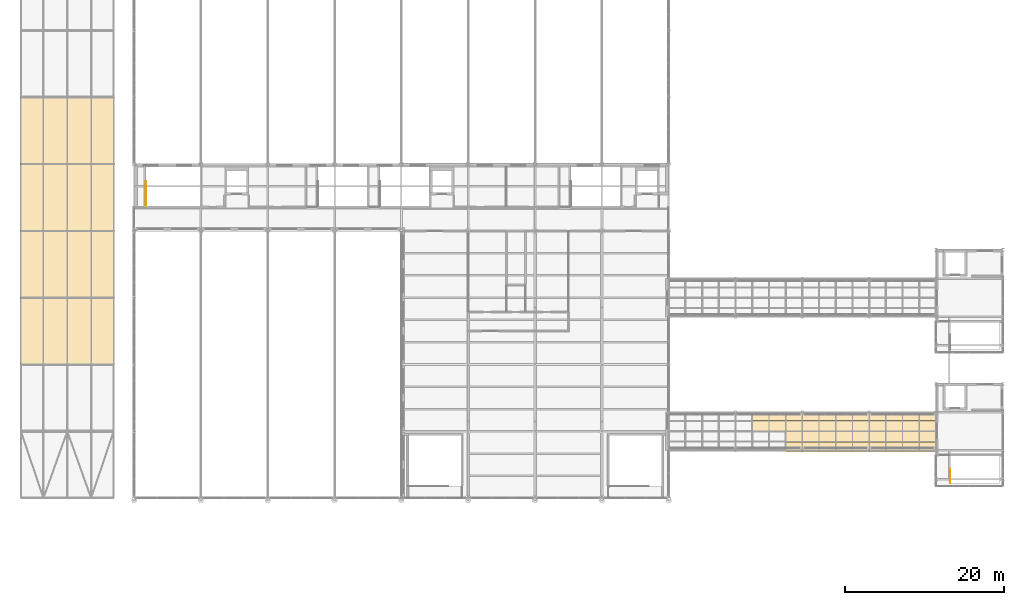
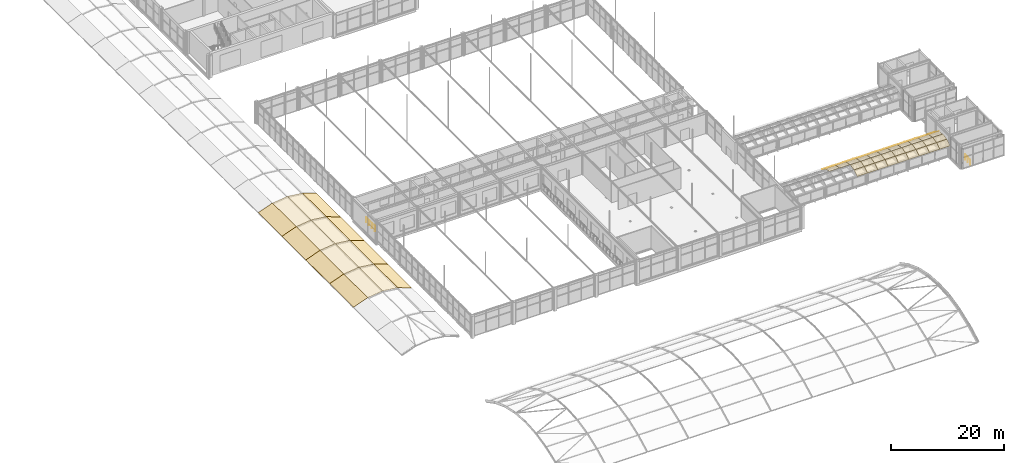
# One storey, part 160 of 167: 56 coverings, 2 railings.
"""IFC4 building model written with IfcOpenShell, lengths in metres."""

from ifc_helpers import new_model, si_unit, direction, frame, origin, origin_2d, place, context, subcontext, project, spatial, polyline, circle, outline, extrude, material, layer, layer_set, type_object, element, save


model = new_model("IFC4")

# Units and contexts
model_context = context("Model", 3, precision=1e-05, world=origin(), true_north=direction((0.0, 1.0)))
body_context = subcontext(model_context, "Body", "Model", "MODEL_VIEW")
ifc_project = project(units=[si_unit("LENGTHUNIT", "METRE"), si_unit("AREAUNIT", "SQUARE_METRE"), si_unit("VOLUMEUNIT", "CUBIC_METRE"), si_unit("PLANEANGLEUNIT", "RADIAN"), si_unit("MASSUNIT", "GRAM", prefix="KILO")], contexts=[model_context])

# Site, building, storey
site_placement = place(None, origin())
site = spatial("IfcSite", under=ifc_project, at=site_placement, CompositionType="ELEMENT")
building_placement = place(site_placement, origin())
building = spatial("IfcBuilding", under=site, at=building_placement, Name="Catenary Quay Ferry Terminal", CompositionType="ELEMENT")
storey_placement = place(building_placement, frame((0.0, 0.0, 6.0)))
storey = spatial("IfcBuildingStorey", under=building, at=storey_placement, Name="L01", CompositionType="ELEMENT", Elevation=6.0)

# Railings
ifc_material_1 = material(Name="Steel and glass", Category="steel")
railing_type = type_object("IfcRailingType", Name="GI1", PredefinedType="GUARDRAIL", material=ifc_material_1)
railing_1_placement = place(storey_placement, frame((127.800048828125, 69.10009765625, 0.0)))
element("IfcRailing", 1, at=railing_1_placement, inside=storey, type_object=railing_type, Name="HB1 well guard GI51", PredefinedType="GUARDRAIL", context=body_context, shape_type="SweptSolid", body=[
    extrude(circle(Radius=0.02392578125, at=origin_2d()), frame((0.0, 0.0, 1.076171875), z_axis=(0.0, 1.0, 0.0), x_axis=(-1.0, 0.0, 0.0)), (0.0, 0.0, 1.0), 1.7998046875),
    extrude(circle(Radius=0.02099609375, at=origin_2d()), origin(), (0.0, 0.0, 1.0), 1.052001953125),
    extrude(circle(Radius=0.02099609375, at=origin_2d()), frame((0.0, 0.89990234375, 0.0)), (0.0, 0.0, 1.0), 1.052001953125),
    extrude(circle(Radius=0.02099609375, at=origin_2d()), frame((0.0, 1.7998046875, 0.0)), (0.0, 0.0, 1.0), 1.052001953125),
])
railing_2_placement = place(storey_placement, frame((26.699951171875, 103.89990234375, 0.0)))
element("IfcRailing", 2, at=railing_2_placement, inside=storey, type_object=railing_type, Name="TS1 well guard GI278", PredefinedType="GUARDRAIL", context=body_context, shape_type="SweptSolid", body=[
    extrude(circle(Radius=0.02392578125, at=origin_2d()), frame((0.0, 0.0, 1.076171875), z_axis=(0.0, 1.0, 0.0), x_axis=(-1.0, 0.0, 0.0)), (0.0, 0.0, 1.0), 3.10009765625),
    extrude(circle(Radius=0.02099609375, at=origin_2d()), origin(), (0.0, 0.0, 1.0), 1.052001953125),
    extrude(circle(Radius=0.02099609375, at=origin_2d()), frame((0.0, 1.033447265625, 0.0)), (0.0, 0.0, 1.0), 1.052001953125),
    extrude(circle(Radius=0.02099609375, at=origin_2d()), frame((0.0, 2.066650390625, 0.0)), (0.0, 0.0, 1.0), 1.052001953125),
    extrude(circle(Radius=0.02099609375, at=origin_2d()), frame((0.0, 3.10009765625, 0.0)), (0.0, 0.0, 1.0), 1.052001953125),
])

# Coverings
ifc_material_2 = material(Name="Laminated glass", Category="glass")
ifc_layer = layer(ifc_material_2, 0.030029296875)
ifc_layer_set = layer_set([ifc_layer], Name="RF2")
covering_type = type_object("IfcCoveringType", Name="RF2", PredefinedType="ROOFING", material=ifc_layer_set)
covering_1_placement = place(storey_placement, frame((10.858154296875, 84.0, 1.2158203125), z_axis=(-0.346768604163, 0.0, 0.937950710414), x_axis=(0.0, 1.0, 0.0)))
element("IfcCovering", 3, at=covering_1_placement, inside=storey, type_object=covering_type, Name="Forecourt canopy roof", PredefinedType="ROOFING", context=body_context, shape_type="SweptSolid", body=[
    extrude(outline(polyline([(0.0, 0.0), (8.39990234375, 0.0), (8.39990234375, -3.0745635463365493), (0.0, -3.0745635463365493), (0.0, 0.0)])), origin(), (0.0, 0.0, -1.0), 0.031982421875),
])
covering_2_placement = place(storey_placement, frame((13.741943359375, 84.0, 2.281982421875), z_axis=(-0.122181619395, 0.0, 0.992507759104), x_axis=(0.0, 1.0, 0.0)))
element("IfcCovering", 4, at=covering_2_placement, inside=storey, type_object=covering_type, Name="Forecourt canopy roof", PredefinedType="ROOFING", context=body_context, shape_type="SweptSolid", body=[
    extrude(outline(polyline([(0.0, 0.0), (8.39990234375, 0.0), (8.39990234375, -3.0811904901479834), (0.0, -3.0811904901479834), (0.0, 0.0)])), origin(), (0.0, 0.0, -1.0), 0.0302734375),
])
covering_3_placement = place(storey_placement, frame((16.800048828125, 84.0, 2.658447265625), z_axis=(0.122191228771, 0.0, 0.992506576105), x_axis=(0.0, 1.0, 0.0)))
element("IfcCovering", 5, at=covering_3_placement, inside=storey, type_object=covering_type, Name="Forecourt canopy roof", PredefinedType="ROOFING", context=body_context, shape_type="SweptSolid", body=[
    extrude(outline(polyline([(0.0, 0.0), (8.39990234375, 0.0), (8.39990234375, -3.080948178827762), (0.0, -3.080948178827762), (0.0, 0.0)])), origin(), (0.0, 0.0, -1.0), 0.0302734375),
])
covering_4_placement = place(storey_placement, frame((19.85791015625, 84.0, 2.281982421875), z_axis=(0.346768604163, 0.0, 0.937950710414), x_axis=(0.0, 1.0, 0.0)))
element("IfcCovering", 6, at=covering_4_placement, inside=storey, type_object=covering_type, Name="Forecourt canopy roof", PredefinedType="ROOFING", context=body_context, shape_type="SweptSolid", body=[
    extrude(outline(polyline([(0.0, 0.0), (8.39990234375, 0.0), (8.39990234375, -3.0745635463365493), (0.0, -3.0745635463365493), (0.0, 0.0)])), origin(), (0.0, 0.0, -1.0), 0.031982421875),
])
covering_5_placement = place(storey_placement, frame((10.858154296875, 92.39990234375, 1.2158203125), z_axis=(-0.346768604163, 0.0, 0.937950710414), x_axis=(0.0, 1.0, 0.0)))
element("IfcCovering", 7, at=covering_5_placement, inside=storey, type_object=covering_type, Name="Forecourt canopy roof", PredefinedType="ROOFING", context=body_context, shape_type="SweptSolid", body=[
    extrude(outline(polyline([(0.0, 0.0), (8.400146484375, 0.0), (8.400146484375, -3.0745635463365493), (0.0, -3.0745635463365493), (0.0, 0.0)])), origin(), (0.0, 0.0, -1.0), 0.031982421875),
])
covering_6_placement = place(storey_placement, frame((13.741943359375, 92.39990234375, 2.281982421875), z_axis=(-0.122181619395, 0.0, 0.992507759104), x_axis=(0.0, 1.0, 0.0)))
element("IfcCovering", 8, at=covering_6_placement, inside=storey, type_object=covering_type, Name="Forecourt canopy roof", PredefinedType="ROOFING", context=body_context, shape_type="SweptSolid", body=[
    extrude(outline(polyline([(0.0, 0.0), (8.400146484375, 0.0), (8.400146484375, -3.0811904901479834), (0.0, -3.0811904901479834), (0.0, 0.0)])), origin(), (0.0, 0.0, -1.0), 0.0302734375),
])
covering_7_placement = place(storey_placement, frame((16.800048828125, 92.39990234375, 2.658447265625), z_axis=(0.122191228771, 0.0, 0.992506576105), x_axis=(0.0, 1.0, 0.0)))
element("IfcCovering", 9, at=covering_7_placement, inside=storey, type_object=covering_type, Name="Forecourt canopy roof", PredefinedType="ROOFING", context=body_context, shape_type="SweptSolid", body=[
    extrude(outline(polyline([(0.0, 0.0), (8.400146484375, 0.0), (8.400146484375, -3.0809481788277613), (0.0, -3.0809481788277613), (0.0, 0.0)])), origin(), (0.0, 0.0, -1.0), 0.0302734375),
])
covering_8_placement = place(storey_placement, frame((19.85791015625, 92.39990234375, 2.281982421875), z_axis=(0.346768604163, 0.0, 0.937950710414), x_axis=(0.0, 1.0, 0.0)))
element("IfcCovering", 10, at=covering_8_placement, inside=storey, type_object=covering_type, Name="Forecourt canopy roof", PredefinedType="ROOFING", context=body_context, shape_type="SweptSolid", body=[
    extrude(outline(polyline([(0.0, 0.0), (8.400146484375, 0.0), (8.400146484375, -3.0745635463365493), (0.0, -3.0745635463365493), (0.0, 0.0)])), origin(), (0.0, 0.0, -1.0), 0.031982421875),
])
covering_9_placement = place(storey_placement, frame((10.858154296875, 100.800048828125, 1.2158203125), z_axis=(-0.346768604163, 0.0, 0.937950710414), x_axis=(0.0, 1.0, 0.0)))
element("IfcCovering", 11, at=covering_9_placement, inside=storey, type_object=covering_type, Name="Forecourt canopy roof", PredefinedType="ROOFING", context=body_context, shape_type="SweptSolid", body=[
    extrude(outline(polyline([(0.0, 0.0), (8.39990234375, 0.0), (8.39990234375, -3.0745635463365493), (0.0, -3.0745635463365493), (0.0, 0.0)])), origin(), (0.0, 0.0, -1.0), 0.031982421875),
])
covering_10_placement = place(storey_placement, frame((13.741943359375, 100.800048828125, 2.281982421875), z_axis=(-0.122181619395, 0.0, 0.992507759104), x_axis=(0.0, 1.0, 0.0)))
element("IfcCovering", 12, at=covering_10_placement, inside=storey, type_object=covering_type, Name="Forecourt canopy roof", PredefinedType="ROOFING", context=body_context, shape_type="SweptSolid", body=[
    extrude(outline(polyline([(0.0, 0.0), (8.39990234375, 0.0), (8.39990234375, -3.0811904901479834), (0.0, -3.0811904901479834), (0.0, 0.0)])), origin(), (0.0, 0.0, -1.0), 0.0302734375),
])
covering_11_placement = place(storey_placement, frame((16.800048828125, 100.800048828125, 2.658447265625), z_axis=(0.122191228771, 0.0, 0.992506576105), x_axis=(0.0, 1.0, 0.0)))
element("IfcCovering", 13, at=covering_11_placement, inside=storey, type_object=covering_type, Name="Forecourt canopy roof", PredefinedType="ROOFING", context=body_context, shape_type="SweptSolid", body=[
    extrude(outline(polyline([(0.0, 0.0), (8.39990234375, 0.0), (8.39990234375, -3.080948178827762), (0.0, -3.080948178827762), (0.0, 0.0)])), origin(), (0.0, 0.0, -1.0), 0.0302734375),
])
covering_12_placement = place(storey_placement, frame((19.85791015625, 100.800048828125, 2.281982421875), z_axis=(0.346768604163, 0.0, 0.937950710414), x_axis=(0.0, 1.0, 0.0)))
element("IfcCovering", 14, at=covering_12_placement, inside=storey, type_object=covering_type, Name="Forecourt canopy roof", PredefinedType="ROOFING", context=body_context, shape_type="SweptSolid", body=[
    extrude(outline(polyline([(0.0, 0.0), (8.39990234375, 0.0), (8.39990234375, -3.0745635463365493), (0.0, -3.0745635463365493), (0.0, 0.0)])), origin(), (0.0, 0.0, -1.0), 0.031982421875),
])
covering_13_placement = place(storey_placement, frame((10.858154296875, 109.199951171875, 1.2158203125), z_axis=(-0.346768604163, 0.0, 0.937950710414), x_axis=(0.0, 1.0, 0.0)))
element("IfcCovering", 15, at=covering_13_placement, inside=storey, type_object=covering_type, Name="Forecourt canopy roof", PredefinedType="ROOFING", context=body_context, shape_type="SweptSolid", body=[
    extrude(outline(polyline([(0.0, 0.0), (8.400146484375, 0.0), (8.400146484375, -3.0745635463365493), (0.0, -3.0745635463365493), (0.0, 0.0)])), origin(), (0.0, 0.0, -1.0), 0.031982421875),
])
covering_14_placement = place(storey_placement, frame((13.741943359375, 109.199951171875, 2.281982421875), z_axis=(-0.122181619395, 0.0, 0.992507759104), x_axis=(0.0, 1.0, 0.0)))
element("IfcCovering", 16, at=covering_14_placement, inside=storey, type_object=covering_type, Name="Forecourt canopy roof", PredefinedType="ROOFING", context=body_context, shape_type="SweptSolid", body=[
    extrude(outline(polyline([(0.0, 0.0), (8.400146484375, 0.0), (8.400146484375, -3.0811904901479834), (0.0, -3.0811904901479834), (0.0, 0.0)])), origin(), (0.0, 0.0, -1.0), 0.0302734375),
])
covering_15_placement = place(storey_placement, frame((16.800048828125, 109.199951171875, 2.658447265625), z_axis=(0.122191228771, 0.0, 0.992506576105), x_axis=(0.0, 1.0, 0.0)))
element("IfcCovering", 17, at=covering_15_placement, inside=storey, type_object=covering_type, Name="Forecourt canopy roof", PredefinedType="ROOFING", context=body_context, shape_type="SweptSolid", body=[
    extrude(outline(polyline([(0.0, 0.0), (8.400146484375, 0.0), (8.400146484375, -3.0809481788277613), (0.0, -3.0809481788277613), (0.0, 0.0)])), origin(), (0.0, 0.0, -1.0), 0.0302734375),
])
covering_16_placement = place(storey_placement, frame((19.85791015625, 109.199951171875, 2.281982421875), z_axis=(0.346768604163, 0.0, 0.937950710414), x_axis=(0.0, 1.0, 0.0)))
element("IfcCovering", 18, at=covering_16_placement, inside=storey, type_object=covering_type, Name="Forecourt canopy roof", PredefinedType="ROOFING", context=body_context, shape_type="SweptSolid", body=[
    extrude(outline(polyline([(0.0, 0.0), (8.400146484375, 0.0), (8.400146484375, -3.0745635463365493), (0.0, -3.0745635463365493), (0.0, 0.0)])), origin(), (0.0, 0.0, -1.0), 0.031982421875),
])
covering_17_placement = place(storey_placement, frame((102.89990234375, 75.60009765625, 3.308837890625), z_axis=(0.0, 0.211049761699, 0.977475318403), x_axis=(1.0, 0.0, 0.0)))
element("IfcCovering", 19, at=covering_17_placement, inside=storey, type_object=covering_type, Name="Boarding Bridge 1 roof", PredefinedType="ROOFING", context=body_context, shape_type="SweptSolid", body=[
    extrude(outline(polyline([(0.0, 0.0), (2.10009765625, 0.0), (2.10009765625, 1.4031884032539599), (0.0, 1.4031884032539599), (0.0, 0.0)])), origin(), (0.0, 0.0, -1.0), 0.03076171875),
])
covering_18_placement = place(storey_placement, frame((102.89990234375, 76.9716796875, 3.0126953125), z_axis=(0.0, 0.5454678985, 0.83813171501), x_axis=(1.0, 0.0, 0.0)))
element("IfcCovering", 20, at=covering_18_placement, inside=storey, type_object=covering_type, Name="Boarding Bridge 1 roof", PredefinedType="ROOFING", context=body_context, shape_type="SweptSolid", body=[
    extrude(outline(polyline([(0.0, 0.0), (2.10009765625, 0.0), (2.10009765625, 1.359748613601261), (0.0, 1.359748613601261), (0.0, 0.0)])), origin(), (0.0, 0.0, -1.0), 0.035888671875),
])
covering_19_placement = place(storey_placement, frame((105.0, 75.60009765625, 3.308837890625), z_axis=(0.0, 0.211049761699, 0.977475318403), x_axis=(1.0, 0.0, 0.0)))
element("IfcCovering", 21, at=covering_19_placement, inside=storey, type_object=covering_type, Name="Boarding Bridge 1 roof", PredefinedType="ROOFING", context=body_context, shape_type="SweptSolid", body=[
    extrude(outline(polyline([(0.0, 0.0), (2.10009765625, 0.0), (2.10009765625, 1.4031884032539599), (0.0, 1.4031884032539599), (0.0, 0.0)])), origin(), (0.0, 0.0, -1.0), 0.03076171875),
])
covering_20_placement = place(storey_placement, frame((105.0, 76.9716796875, 3.0126953125), z_axis=(0.0, 0.5454678985, 0.83813171501), x_axis=(1.0, 0.0, 0.0)))
element("IfcCovering", 22, at=covering_20_placement, inside=storey, type_object=covering_type, Name="Boarding Bridge 1 roof", PredefinedType="ROOFING", context=body_context, shape_type="SweptSolid", body=[
    extrude(outline(polyline([(0.0, 0.0), (2.10009765625, 0.0), (2.10009765625, 1.359748613601261), (0.0, 1.359748613601261), (0.0, 0.0)])), origin(), (0.0, 0.0, -1.0), 0.035888671875),
])
covering_21_placement = place(storey_placement, frame((107.10009765625, 73.088623046875, 2.27099609375), z_axis=(0.0, -0.5454678985, 0.83813171501), x_axis=(1.0, 0.0, 0.0)))
element("IfcCovering", 23, at=covering_21_placement, inside=storey, type_object=covering_type, Name="Boarding Bridge 1 roof", PredefinedType="ROOFING", context=body_context, shape_type="SweptSolid", body=[
    extrude(outline(polyline([(0.0, 0.0), (2.099853515625, 0.0), (2.099853515625, 1.359748613601261), (0.0, 1.359748613601261), (0.0, 0.0)])), origin(), (0.0, 0.0, -1.0), 0.035888671875),
])
covering_22_placement = place(storey_placement, frame((107.10009765625, 74.228271484375, 3.0126953125), z_axis=(0.0, -0.211013874249, 0.977483066285), x_axis=(1.0, 0.0, 0.0)))
element("IfcCovering", 24, at=covering_22_placement, inside=storey, type_object=covering_type, Name="Boarding Bridge 1 roof", PredefinedType="ROOFING", context=body_context, shape_type="SweptSolid", body=[
    extrude(outline(polyline([(0.0, 0.0), (2.099853515625, 0.0), (2.099853515625, 1.4034270456349838), (0.0, 1.4034270456349838), (0.0, 0.0)])), origin(), (0.0, 0.0, -1.0), 0.03076171875),
])
covering_23_placement = place(storey_placement, frame((107.10009765625, 75.60009765625, 3.308837890625), z_axis=(0.0, 0.211049761699, 0.977475318403), x_axis=(1.0, 0.0, 0.0)))
element("IfcCovering", 25, at=covering_23_placement, inside=storey, type_object=covering_type, Name="Boarding Bridge 1 roof", PredefinedType="ROOFING", context=body_context, shape_type="SweptSolid", body=[
    extrude(outline(polyline([(0.0, 0.0), (2.099853515625, 0.0), (2.099853515625, 1.4031884032539599), (0.0, 1.4031884032539599), (0.0, 0.0)])), origin(), (0.0, 0.0, -1.0), 0.03076171875),
])
covering_24_placement = place(storey_placement, frame((107.10009765625, 76.9716796875, 3.0126953125), z_axis=(0.0, 0.5454678985, 0.83813171501), x_axis=(1.0, 0.0, 0.0)))
element("IfcCovering", 26, at=covering_24_placement, inside=storey, type_object=covering_type, Name="Boarding Bridge 1 roof", PredefinedType="ROOFING", context=body_context, shape_type="SweptSolid", body=[
    extrude(outline(polyline([(0.0, 0.0), (2.099853515625, 0.0), (2.099853515625, 1.359748613601261), (0.0, 1.359748613601261), (0.0, 0.0)])), origin(), (0.0, 0.0, -1.0), 0.035888671875),
])
covering_25_placement = place(storey_placement, frame((109.199951171875, 73.088623046875, 2.27099609375), z_axis=(0.0, -0.5454678985, 0.83813171501), x_axis=(1.0, 0.0, 0.0)))
element("IfcCovering", 27, at=covering_25_placement, inside=storey, type_object=covering_type, Name="Boarding Bridge 1 roof", PredefinedType="ROOFING", context=body_context, shape_type="SweptSolid", body=[
    extrude(outline(polyline([(0.0, 0.0), (2.10009765625, 0.0), (2.10009765625, 1.359748613601261), (0.0, 1.359748613601261), (0.0, 0.0)])), origin(), (0.0, 0.0, -1.0), 0.035888671875),
])
covering_26_placement = place(storey_placement, frame((109.199951171875, 74.228271484375, 3.0126953125), z_axis=(0.0, -0.211013874249, 0.977483066285), x_axis=(1.0, 0.0, 0.0)))
element("IfcCovering", 28, at=covering_26_placement, inside=storey, type_object=covering_type, Name="Boarding Bridge 1 roof", PredefinedType="ROOFING", context=body_context, shape_type="SweptSolid", body=[
    extrude(outline(polyline([(0.0, 0.0), (2.10009765625, 0.0), (2.10009765625, 1.4034270456349835), (0.0, 1.4034270456349835), (0.0, 0.0)])), origin(), (0.0, 0.0, -1.0), 0.03076171875),
])
covering_27_placement = place(storey_placement, frame((109.199951171875, 75.60009765625, 3.308837890625), z_axis=(0.0, 0.211049761699, 0.977475318403), x_axis=(1.0, 0.0, 0.0)))
element("IfcCovering", 29, at=covering_27_placement, inside=storey, type_object=covering_type, Name="Boarding Bridge 1 roof", PredefinedType="ROOFING", context=body_context, shape_type="SweptSolid", body=[
    extrude(outline(polyline([(0.0, 0.0), (2.10009765625, 0.0), (2.10009765625, 1.4031884032539599), (0.0, 1.4031884032539599), (0.0, 0.0)])), origin(), (0.0, 0.0, -1.0), 0.03076171875),
])
covering_28_placement = place(storey_placement, frame((109.199951171875, 76.9716796875, 3.0126953125), z_axis=(0.0, 0.5454678985, 0.83813171501), x_axis=(1.0, 0.0, 0.0)))
element("IfcCovering", 30, at=covering_28_placement, inside=storey, type_object=covering_type, Name="Boarding Bridge 1 roof", PredefinedType="ROOFING", context=body_context, shape_type="SweptSolid", body=[
    extrude(outline(polyline([(0.0, 0.0), (2.10009765625, 0.0), (2.10009765625, 1.359748613601261), (0.0, 1.359748613601261), (0.0, 0.0)])), origin(), (0.0, 0.0, -1.0), 0.035888671875),
])
covering_29_placement = place(storey_placement, frame((111.300048828125, 73.088623046875, 2.27099609375), z_axis=(0.0, -0.5454678985, 0.83813171501), x_axis=(1.0, 0.0, 0.0)))
element("IfcCovering", 31, at=covering_29_placement, inside=storey, type_object=covering_type, Name="Boarding Bridge 1 roof", PredefinedType="ROOFING", context=body_context, shape_type="SweptSolid", body=[
    extrude(outline(polyline([(0.0, 0.0), (2.099853515625, 0.0), (2.099853515625, 1.359748613601261), (0.0, 1.359748613601261), (0.0, 0.0)])), origin(), (0.0, 0.0, -1.0), 0.035888671875),
])
covering_30_placement = place(storey_placement, frame((111.300048828125, 74.228271484375, 3.0126953125), z_axis=(0.0, -0.211013874249, 0.977483066285), x_axis=(1.0, 0.0, 0.0)))
element("IfcCovering", 32, at=covering_30_placement, inside=storey, type_object=covering_type, Name="Boarding Bridge 1 roof", PredefinedType="ROOFING", context=body_context, shape_type="SweptSolid", body=[
    extrude(outline(polyline([(0.0, 0.0), (2.099853515625, 0.0), (2.099853515625, 1.4034270456349838), (0.0, 1.4034270456349838), (0.0, 0.0)])), origin(), (0.0, 0.0, -1.0), 0.03076171875),
])
covering_31_placement = place(storey_placement, frame((111.300048828125, 75.60009765625, 3.308837890625), z_axis=(0.0, 0.211049761699, 0.977475318403), x_axis=(1.0, 0.0, 0.0)))
element("IfcCovering", 33, at=covering_31_placement, inside=storey, type_object=covering_type, Name="Boarding Bridge 1 roof", PredefinedType="ROOFING", context=body_context, shape_type="SweptSolid", body=[
    extrude(outline(polyline([(0.0, 0.0), (2.099853515625, 0.0), (2.099853515625, 1.4031884032539599), (0.0, 1.4031884032539599), (0.0, 0.0)])), origin(), (0.0, 0.0, -1.0), 0.03076171875),
])
covering_32_placement = place(storey_placement, frame((111.300048828125, 76.9716796875, 3.0126953125), z_axis=(0.0, 0.5454678985, 0.83813171501), x_axis=(1.0, 0.0, 0.0)))
element("IfcCovering", 34, at=covering_32_placement, inside=storey, type_object=covering_type, Name="Boarding Bridge 1 roof", PredefinedType="ROOFING", context=body_context, shape_type="SweptSolid", body=[
    extrude(outline(polyline([(0.0, 0.0), (2.099853515625, 0.0), (2.099853515625, 1.359748613601261), (0.0, 1.359748613601261), (0.0, 0.0)])), origin(), (0.0, 0.0, -1.0), 0.035888671875),
])
covering_33_placement = place(storey_placement, frame((113.39990234375, 73.088623046875, 2.27099609375), z_axis=(0.0, -0.5454678985, 0.83813171501), x_axis=(1.0, 0.0, 0.0)))
element("IfcCovering", 35, at=covering_33_placement, inside=storey, type_object=covering_type, Name="Boarding Bridge 1 roof", PredefinedType="ROOFING", context=body_context, shape_type="SweptSolid", body=[
    extrude(outline(polyline([(0.0, 0.0), (2.10009765625, 0.0), (2.10009765625, 1.359748613601261), (0.0, 1.359748613601261), (0.0, 0.0)])), origin(), (0.0, 0.0, -1.0), 0.035888671875),
])
covering_34_placement = place(storey_placement, frame((113.39990234375, 74.228271484375, 3.0126953125), z_axis=(0.0, -0.211013874249, 0.977483066285), x_axis=(1.0, 0.0, 0.0)))
element("IfcCovering", 36, at=covering_34_placement, inside=storey, type_object=covering_type, Name="Boarding Bridge 1 roof", PredefinedType="ROOFING", context=body_context, shape_type="SweptSolid", body=[
    extrude(outline(polyline([(0.0, 0.0), (2.10009765625, 0.0), (2.10009765625, 1.4034270456349835), (0.0, 1.4034270456349835), (0.0, 0.0)])), origin(), (0.0, 0.0, -1.0), 0.03076171875),
])
covering_35_placement = place(storey_placement, frame((113.39990234375, 75.60009765625, 3.308837890625), z_axis=(0.0, 0.211049761699, 0.977475318403), x_axis=(1.0, 0.0, 0.0)))
element("IfcCovering", 37, at=covering_35_placement, inside=storey, type_object=covering_type, Name="Boarding Bridge 1 roof", PredefinedType="ROOFING", context=body_context, shape_type="SweptSolid", body=[
    extrude(outline(polyline([(0.0, 0.0), (2.10009765625, 0.0), (2.10009765625, 1.4031884032539599), (0.0, 1.4031884032539599), (0.0, 0.0)])), origin(), (0.0, 0.0, -1.0), 0.03076171875),
])
for number, where, z_axis, x_axis, name in (
    (38, (113.39990234375, 76.9716796875, 3.0126953125), (0.0, 0.5454678985, 0.83813171501), (1.0, 0.0, 0.0), "Boarding Bridge 1 roof"),
    (39, (115.5, 73.088623046875, 2.27099609375), (0.0, -0.5454678985, 0.83813171501), (1.0, 0.0, 0.0), "Boarding Bridge 1 roof"),
):
    element("IfcCovering", number, at=place(storey_placement, frame(where, z_axis=z_axis, x_axis=x_axis)), inside=storey, type_object=covering_type, Name=name, PredefinedType="ROOFING", context=body_context, shape_type="SweptSolid", body=[
        extrude(outline(polyline([(0.0, 0.0), (2.10009765625, 0.0), (2.10009765625, 1.359748613601261), (0.0, 1.359748613601261), (0.0, 0.0)])), origin(), (0.0, 0.0, -1.0), 0.035888671875),
    ])
covering_36_placement = place(storey_placement, frame((115.5, 74.228271484375, 3.0126953125), z_axis=(0.0, -0.211013874249, 0.977483066285), x_axis=(1.0, 0.0, 0.0)))
element("IfcCovering", 40, at=covering_36_placement, inside=storey, type_object=covering_type, Name="Boarding Bridge 1 roof", PredefinedType="ROOFING", context=body_context, shape_type="SweptSolid", body=[
    extrude(outline(polyline([(0.0, 0.0), (2.10009765625, 0.0), (2.10009765625, 1.4034270456349835), (0.0, 1.4034270456349835), (0.0, 0.0)])), origin(), (0.0, 0.0, -1.0), 0.03076171875),
])
covering_37_placement = place(storey_placement, frame((115.5, 75.60009765625, 3.308837890625), z_axis=(0.0, 0.211049761699, 0.977475318403), x_axis=(1.0, 0.0, 0.0)))
element("IfcCovering", 41, at=covering_37_placement, inside=storey, type_object=covering_type, Name="Boarding Bridge 1 roof", PredefinedType="ROOFING", context=body_context, shape_type="SweptSolid", body=[
    extrude(outline(polyline([(0.0, 0.0), (2.10009765625, 0.0), (2.10009765625, 1.4031884032539599), (0.0, 1.4031884032539599), (0.0, 0.0)])), origin(), (0.0, 0.0, -1.0), 0.03076171875),
])
covering_38_placement = place(storey_placement, frame((115.5, 76.9716796875, 3.0126953125), z_axis=(0.0, 0.5454678985, 0.83813171501), x_axis=(1.0, 0.0, 0.0)))
element("IfcCovering", 42, at=covering_38_placement, inside=storey, type_object=covering_type, Name="Boarding Bridge 1 roof", PredefinedType="ROOFING", context=body_context, shape_type="SweptSolid", body=[
    extrude(outline(polyline([(0.0, 0.0), (2.10009765625, 0.0), (2.10009765625, 1.359748613601261), (0.0, 1.359748613601261), (0.0, 0.0)])), origin(), (0.0, 0.0, -1.0), 0.035888671875),
])
covering_39_placement = place(storey_placement, frame((117.60009765625, 73.088623046875, 2.27099609375), z_axis=(0.0, -0.5454678985, 0.83813171501), x_axis=(1.0, 0.0, 0.0)))
element("IfcCovering", 43, at=covering_39_placement, inside=storey, type_object=covering_type, Name="Boarding Bridge 1 roof", PredefinedType="ROOFING", context=body_context, shape_type="SweptSolid", body=[
    extrude(outline(polyline([(0.0, 0.0), (2.099853515625, 0.0), (2.099853515625, 1.359748613601261), (0.0, 1.359748613601261), (0.0, 0.0)])), origin(), (0.0, 0.0, -1.0), 0.035888671875),
])
covering_40_placement = place(storey_placement, frame((117.60009765625, 74.228271484375, 3.0126953125), z_axis=(0.0, -0.211013874249, 0.977483066285), x_axis=(1.0, 0.0, 0.0)))
element("IfcCovering", 44, at=covering_40_placement, inside=storey, type_object=covering_type, Name="Boarding Bridge 1 roof", PredefinedType="ROOFING", context=body_context, shape_type="SweptSolid", body=[
    extrude(outline(polyline([(0.0, 0.0), (2.099853515625, 0.0), (2.099853515625, 1.4034270456349838), (0.0, 1.4034270456349838), (0.0, 0.0)])), origin(), (0.0, 0.0, -1.0), 0.03076171875),
])
covering_41_placement = place(storey_placement, frame((117.60009765625, 75.60009765625, 3.308837890625), z_axis=(0.0, 0.211049761699, 0.977475318403), x_axis=(1.0, 0.0, 0.0)))
element("IfcCovering", 45, at=covering_41_placement, inside=storey, type_object=covering_type, Name="Boarding Bridge 1 roof", PredefinedType="ROOFING", context=body_context, shape_type="SweptSolid", body=[
    extrude(outline(polyline([(0.0, 0.0), (2.099853515625, 0.0), (2.099853515625, 1.4031884032539599), (0.0, 1.4031884032539599), (0.0, 0.0)])), origin(), (0.0, 0.0, -1.0), 0.03076171875),
])
covering_42_placement = place(storey_placement, frame((117.60009765625, 76.9716796875, 3.0126953125), z_axis=(0.0, 0.5454678985, 0.83813171501), x_axis=(1.0, 0.0, 0.0)))
element("IfcCovering", 46, at=covering_42_placement, inside=storey, type_object=covering_type, Name="Boarding Bridge 1 roof", PredefinedType="ROOFING", context=body_context, shape_type="SweptSolid", body=[
    extrude(outline(polyline([(0.0, 0.0), (2.099853515625, 0.0), (2.099853515625, 1.359748613601261), (0.0, 1.359748613601261), (0.0, 0.0)])), origin(), (0.0, 0.0, -1.0), 0.035888671875),
])
covering_43_placement = place(storey_placement, frame((119.699951171875, 73.088623046875, 2.27099609375), z_axis=(0.0, -0.5454678985, 0.83813171501), x_axis=(1.0, 0.0, 0.0)))
element("IfcCovering", 47, at=covering_43_placement, inside=storey, type_object=covering_type, Name="Boarding Bridge 1 roof", PredefinedType="ROOFING", context=body_context, shape_type="SweptSolid", body=[
    extrude(outline(polyline([(0.0, 0.0), (2.10009765625, 0.0), (2.10009765625, 1.359748613601261), (0.0, 1.359748613601261), (0.0, 0.0)])), origin(), (0.0, 0.0, -1.0), 0.035888671875),
])
covering_44_placement = place(storey_placement, frame((119.699951171875, 74.228271484375, 3.0126953125), z_axis=(0.0, -0.211013874249, 0.977483066285), x_axis=(1.0, 0.0, 0.0)))
element("IfcCovering", 48, at=covering_44_placement, inside=storey, type_object=covering_type, Name="Boarding Bridge 1 roof", PredefinedType="ROOFING", context=body_context, shape_type="SweptSolid", body=[
    extrude(outline(polyline([(0.0, 0.0), (2.10009765625, 0.0), (2.10009765625, 1.4034270456349835), (0.0, 1.4034270456349835), (0.0, 0.0)])), origin(), (0.0, 0.0, -1.0), 0.03076171875),
])
covering_45_placement = place(storey_placement, frame((119.699951171875, 75.60009765625, 3.308837890625), z_axis=(0.0, 0.211049761699, 0.977475318403), x_axis=(1.0, 0.0, 0.0)))
element("IfcCovering", 49, at=covering_45_placement, inside=storey, type_object=covering_type, Name="Boarding Bridge 1 roof", PredefinedType="ROOFING", context=body_context, shape_type="SweptSolid", body=[
    extrude(outline(polyline([(0.0, 0.0), (2.10009765625, 0.0), (2.10009765625, 1.4031884032539599), (0.0, 1.4031884032539599), (0.0, 0.0)])), origin(), (0.0, 0.0, -1.0), 0.03076171875),
])
covering_46_placement = place(storey_placement, frame((119.699951171875, 76.9716796875, 3.0126953125), z_axis=(0.0, 0.5454678985, 0.83813171501), x_axis=(1.0, 0.0, 0.0)))
element("IfcCovering", 50, at=covering_46_placement, inside=storey, type_object=covering_type, Name="Boarding Bridge 1 roof", PredefinedType="ROOFING", context=body_context, shape_type="SweptSolid", body=[
    extrude(outline(polyline([(0.0, 0.0), (2.10009765625, 0.0), (2.10009765625, 1.359748613601261), (0.0, 1.359748613601261), (0.0, 0.0)])), origin(), (0.0, 0.0, -1.0), 0.035888671875),
])
covering_47_placement = place(storey_placement, frame((121.800048828125, 73.088623046875, 2.27099609375), z_axis=(0.0, -0.5454678985, 0.83813171501), x_axis=(1.0, 0.0, 0.0)))
element("IfcCovering", 51, at=covering_47_placement, inside=storey, type_object=covering_type, Name="Boarding Bridge 1 roof", PredefinedType="ROOFING", context=body_context, shape_type="SweptSolid", body=[
    extrude(outline(polyline([(0.0, 0.0), (2.099853515625, 0.0), (2.099853515625, 1.359748613601261), (0.0, 1.359748613601261), (0.0, 0.0)])), origin(), (0.0, 0.0, -1.0), 0.035888671875),
])
covering_48_placement = place(storey_placement, frame((121.800048828125, 74.228271484375, 3.0126953125), z_axis=(0.0, -0.211013874249, 0.977483066285), x_axis=(1.0, 0.0, 0.0)))
element("IfcCovering", 52, at=covering_48_placement, inside=storey, type_object=covering_type, Name="Boarding Bridge 1 roof", PredefinedType="ROOFING", context=body_context, shape_type="SweptSolid", body=[
    extrude(outline(polyline([(0.0, 0.0), (2.099853515625, 0.0), (2.099853515625, 1.4034270456349838), (0.0, 1.4034270456349838), (0.0, 0.0)])), origin(), (0.0, 0.0, -1.0), 0.03076171875),
])
covering_49_placement = place(storey_placement, frame((121.800048828125, 75.60009765625, 3.308837890625), z_axis=(0.0, 0.211049761699, 0.977475318403), x_axis=(1.0, 0.0, 0.0)))
element("IfcCovering", 53, at=covering_49_placement, inside=storey, type_object=covering_type, Name="Boarding Bridge 1 roof", PredefinedType="ROOFING", context=body_context, shape_type="SweptSolid", body=[
    extrude(outline(polyline([(0.0, 0.0), (2.099853515625, 0.0), (2.099853515625, 1.4031884032539599), (0.0, 1.4031884032539599), (0.0, 0.0)])), origin(), (0.0, 0.0, -1.0), 0.03076171875),
])
covering_50_placement = place(storey_placement, frame((121.800048828125, 76.9716796875, 3.0126953125), z_axis=(0.0, 0.5454678985, 0.83813171501), x_axis=(1.0, 0.0, 0.0)))
element("IfcCovering", 54, at=covering_50_placement, inside=storey, type_object=covering_type, Name="Boarding Bridge 1 roof", PredefinedType="ROOFING", context=body_context, shape_type="SweptSolid", body=[
    extrude(outline(polyline([(0.0, 0.0), (2.099853515625, 0.0), (2.099853515625, 1.359748613601261), (0.0, 1.359748613601261), (0.0, 0.0)])), origin(), (0.0, 0.0, -1.0), 0.035888671875),
])
covering_51_placement = place(storey_placement, frame((123.89990234375, 73.088623046875, 2.27099609375), z_axis=(0.0, -0.5454678985, 0.83813171501), x_axis=(1.0, 0.0, 0.0)))
element("IfcCovering", 55, at=covering_51_placement, inside=storey, type_object=covering_type, Name="Boarding Bridge 1 roof", PredefinedType="ROOFING", context=body_context, shape_type="SweptSolid", body=[
    extrude(outline(polyline([(0.0, 0.0), (2.10009765625, 0.0), (2.10009765625, 1.359748613601261), (0.0, 1.359748613601261), (0.0, 0.0)])), origin(), (0.0, 0.0, -1.0), 0.035888671875),
])
covering_52_placement = place(storey_placement, frame((123.89990234375, 74.228271484375, 3.0126953125), z_axis=(0.0, -0.211013874249, 0.977483066285), x_axis=(1.0, 0.0, 0.0)))
element("IfcCovering", 56, at=covering_52_placement, inside=storey, type_object=covering_type, Name="Boarding Bridge 1 roof", PredefinedType="ROOFING", context=body_context, shape_type="SweptSolid", body=[
    extrude(outline(polyline([(0.0, 0.0), (2.10009765625, 0.0), (2.10009765625, 1.4034270456349835), (0.0, 1.4034270456349835), (0.0, 0.0)])), origin(), (0.0, 0.0, -1.0), 0.03076171875),
])
covering_53_placement = place(storey_placement, frame((123.89990234375, 75.60009765625, 3.308837890625), z_axis=(0.0, 0.211049761699, 0.977475318403), x_axis=(1.0, 0.0, 0.0)))
element("IfcCovering", 57, at=covering_53_placement, inside=storey, type_object=covering_type, Name="Boarding Bridge 1 roof", PredefinedType="ROOFING", context=body_context, shape_type="SweptSolid", body=[
    extrude(outline(polyline([(0.0, 0.0), (2.10009765625, 0.0), (2.10009765625, 1.4031884032539599), (0.0, 1.4031884032539599), (0.0, 0.0)])), origin(), (0.0, 0.0, -1.0), 0.03076171875),
])
covering_54_placement = place(storey_placement, frame((123.89990234375, 76.9716796875, 3.0126953125), z_axis=(0.0, 0.5454678985, 0.83813171501), x_axis=(1.0, 0.0, 0.0)))
element("IfcCovering", 58, at=covering_54_placement, inside=storey, type_object=covering_type, Name="Boarding Bridge 1 roof", PredefinedType="ROOFING", context=body_context, shape_type="SweptSolid", body=[
    extrude(outline(polyline([(0.0, 0.0), (2.10009765625, 0.0), (2.10009765625, 1.359748613601261), (0.0, 1.359748613601261), (0.0, 0.0)])), origin(), (0.0, 0.0, -1.0), 0.035888671875),
])

save(model, "model.ifc")
